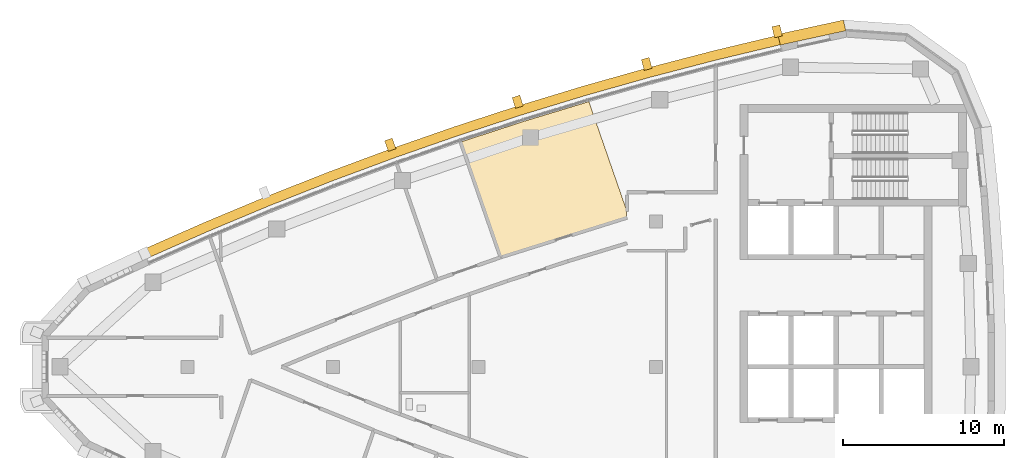
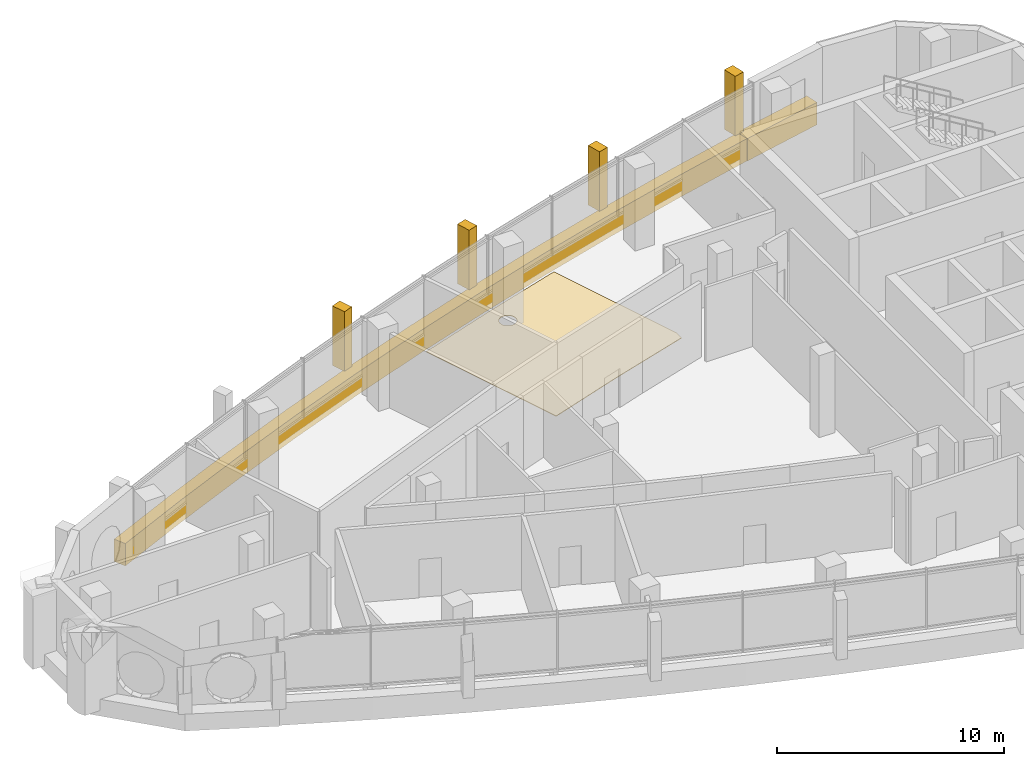
# One storey, part 13 of 15: 7 coverings.
"""IFC4 building model written with IfcOpenShell, lengths in metres."""

from ifc_helpers import new_model, si_unit, direction, frame, frame_2d, origin, place, context, subcontext, project, spatial, polyline, rectangle, outline, extrude, material, layer, layer_set, type_object, element, save


model = new_model("IFC4")

# Units and contexts
model_context = context("Model", 3, precision=1e-05, world=origin(), true_north=direction((0.0, 1.0)))
body_context = subcontext(model_context, "Body", "Model", "MODEL_VIEW")
ifc_project = project(units=[si_unit("LENGTHUNIT", "METRE"), si_unit("AREAUNIT", "SQUARE_METRE"), si_unit("VOLUMEUNIT", "CUBIC_METRE"), si_unit("PLANEANGLEUNIT", "RADIAN"), si_unit("MASSUNIT", "GRAM", prefix="KILO")], contexts=[model_context])

# Site, building, storey
site_placement = place(None, origin())
site = spatial("IfcSite", under=ifc_project, at=site_placement, CompositionType="ELEMENT")
building_placement = place(site_placement, origin())
building = spatial("IfcBuilding", under=site, at=building_placement, Name="Ostrand Prow Hotel Tower", CompositionType="ELEMENT")
storey_placement = place(building_placement, frame((0.0, 0.0, 318.60009765625)))
storey = spatial("IfcBuildingStorey", under=building, at=storey_placement, Name="C3", CompositionType="ELEMENT", Elevation=318.60009765625)

# Coverings
ifc_material_1 = material(Name="Bronze anodised aluminium cladding", Category="aluminium")
ifc_layer_1 = layer(ifc_material_1, 0.60009765625)
ifc_layer_set_1 = layer_set([ifc_layer_1], Name="Bronze anodised aluminium cladding")
covering_type_1 = type_object("IfcCoveringType", Name="Bronze spandrel band 1200x600", PredefinedType="CLADDING", material=ifc_layer_set_1)
covering_1_placement = place(storey_placement, frame((0.0, 0.0, -0.300048828125)))
element("IfcCovering", 1, at=covering_1_placement, inside=storey, type_object=covering_type_1, Name="Spandrel band N1", PredefinedType="CLADDING", context=body_context, shape_type="SweptSolid", body=[
    extrude(outline(polyline([(52.55615234375, 20.52880859375), (48.51220703125, 19.56103515625), (44.48828125, 18.51220703125), (40.486328125, 17.382568359375), (36.508056640625, 16.172607421875), (32.5546875, 14.88330078125), (28.62841796875, 13.514404296875), (24.72998046875, 12.067138671875), (20.86181640625, 10.541748046875), (17.02490234375, 8.938720703125), (13.220947265625, 7.25927734375), (13.468994140625, 6.712890625), (17.26171875, 8.3876953125), (21.08740234375, 9.98583984375), (24.944580078125, 11.5068359375), (28.83154296875, 12.949951171875), (32.74658203125, 14.314697265625), (36.6884765625, 15.6005859375), (40.6552734375, 16.806884765625), (44.6455078125, 17.93310546875), (48.65771484375, 18.97900390625), (52.68994140625, 19.94384765625), (52.55615234375, 20.52880859375)])), origin(), (0.0, 0.0, 1.0), 1.199951171875),
])
covering_2_placement = place(storey_placement, frame((0.0, 0.0, -0.300048828125)))
element("IfcCovering", 2, at=covering_2_placement, inside=storey, type_object=covering_type_1, Name="Spandrel band back 5", PredefinedType="CLADDING", context=body_context, shape_type="SweptSolid", body=[
    extrude(outline(polyline([(56.606201171875, 21.476318359375), (52.542236328125, 20.58984375), (52.69384765625, 19.927001953125), (56.744384765625, 20.810546875), (56.606201171875, 21.476318359375)])), origin(), (0.0, 0.0, 1.0), 1.199951171875),
])
ifc_material_2 = material(Name="Limestone cladding", Category="masonry")
ifc_layer_2 = layer(ifc_material_2, 0.5)
ifc_layer_set_2 = layer_set([ifc_layer_2], Name="Limestone cladding")
covering_type_2 = type_object("IfcCoveringType", Name="Precast stone fin 500x600", PredefinedType="CLADDING", material=ifc_layer_set_2)
covering_3_placement = place(storey_placement, frame((52.578369140625, 20.431396484375, 0.89990234375), z_axis=(0.0, 0.0, 1.0), x_axis=(-0.222872153431, 0.974847682064, 0.0)))
element("IfcCovering", 3, at=covering_3_placement, inside=storey, type_object=covering_type_2, Name="Stone fin N 1", PredefinedType="CLADDING", context=body_context, shape_type="SweptSolid", body=[
    extrude(rectangle(XDim=0.699951171875, YDim=0.5, at=frame_2d((0.35009765625, 0.0))), origin(), (0.0, 0.0, 1.0), 3.199951171875),
])
for number, where, z_axis, x_axis, name in (
    (4, (44.514404296875, 18.41552734375, 0.89990234375), (0.0, 0.0, 1.0), (-0.261848568536, 0.965108971648, 0.0), "Stone fin N 3"),
    (5, (36.5380859375, 16.077392578125, 0.89990234375), (0.0, 0.0, 1.0), (-0.30059725976, 0.953751166408, 0.0), "Stone fin N 5"),
):
    element("IfcCovering", number, at=place(storey_placement, frame(where, z_axis=z_axis, x_axis=x_axis)), inside=storey, type_object=covering_type_2, Name=name, PredefinedType="CLADDING", context=body_context, shape_type="SweptSolid", body=[
        extrude(rectangle(XDim=0.7001953125, YDim=0.5, at=frame_2d((0.35009765625, 0.0))), origin(), (0.0, 0.0, 1.0), 3.199951171875),
    ])
covering_4_placement = place(storey_placement, frame((28.662109375, 13.42041015625, 0.89990234375), z_axis=(0.0, 0.0, 1.0), x_axis=(-0.338633021138, 0.940918528352, 0.0)))
element("IfcCovering", 6, at=covering_4_placement, inside=storey, type_object=covering_type_2, Name="Stone fin N 7", PredefinedType="CLADDING", context=body_context, shape_type="SweptSolid", body=[
    extrude(rectangle(XDim=0.699951171875, YDim=0.5, at=frame_2d((0.35009765625, 0.0))), origin(), (0.0, 0.0, 1.0), 3.199951171875),
])
ifc_material_3 = material(Name="Polished limestone", Category="masonry")
ifc_layer_3 = layer(ifc_material_3, 0.030029296875)
ifc_layer_set_3 = layer_set([ifc_layer_3], Name="Polished limestone")
covering_type_3 = type_object("IfcCoveringType", Name="Stone floor finish 30 mm", PredefinedType="FLOORING", material=ifc_layer_set_3)
covering_5_placement = place(storey_placement, origin())
element("IfcCovering", 7, at=covering_5_placement, inside=storey, type_object=covering_type_3, Name="Floor finish Private Dining Room", PredefinedType="FLOORING", context=body_context, shape_type="SweptSolid", body=[
    extrude(outline(polyline([(43.175048828125, 9.693115234375), (40.8408203125, 16.42236328125), (36.814697265625, 15.199951171875), (32.921630859375, 13.93017578125), (35.39794921875, 6.791015625), (39.08544921875, 7.993896484375), (43.175048828125, 9.23095703125), (43.175048828125, 9.693115234375)]), holes=[polyline([(37.57421875, 14.007080078125), (37.553955078125, 13.973388671875), (37.530517578125, 13.94189453125), (37.504150390625, 13.912841796875), (37.47509765625, 13.886474609375), (37.443603515625, 13.863037109375), (37.409912109375, 13.843017578125), (37.37451171875, 13.826171875), (37.33740234375, 13.81298828125), (37.29931640625, 13.803466796875), (37.260498046875, 13.797607421875), (37.22119140625, 13.795654296875), (37.18212890625, 13.797607421875), (37.143310546875, 13.803466796875), (37.105224609375, 13.81298828125), (37.068115234375, 13.826171875), (37.03271484375, 13.843017578125), (36.9990234375, 13.863037109375), (36.967529296875, 13.886474609375), (36.9384765625, 13.912841796875), (36.912109375, 13.94189453125), (36.888671875, 13.973388671875), (36.868408203125, 14.007080078125), (36.851806640625, 14.04248046875), (36.83837890625, 14.07958984375), (36.8291015625, 14.11767578125), (36.8232421875, 14.156494140625), (36.8212890625, 14.19580078125), (36.8232421875, 14.23486328125), (36.8291015625, 14.273681640625), (36.83837890625, 14.311767578125), (36.851806640625, 14.348876953125), (36.868408203125, 14.38427734375), (36.888671875, 14.41796875), (36.912109375, 14.449462890625), (36.9384765625, 14.478515625), (36.967529296875, 14.5048828125), (36.9990234375, 14.5283203125), (37.03271484375, 14.548583984375), (37.068115234375, 14.565185546875), (37.105224609375, 14.57861328125), (37.143310546875, 14.587890625), (37.18212890625, 14.59375), (37.22119140625, 14.595703125), (37.260498046875, 14.59375), (37.29931640625, 14.587890625), (37.33740234375, 14.57861328125), (37.37451171875, 14.565185546875), (37.409912109375, 14.548583984375), (37.443603515625, 14.5283203125), (37.47509765625, 14.5048828125), (37.504150390625, 14.478515625), (37.530517578125, 14.449462890625), (37.553955078125, 14.41796875), (37.57421875, 14.38427734375), (37.5908203125, 14.348876953125), (37.60400390625, 14.311767578125), (37.613525390625, 14.273681640625), (37.619384765625, 14.23486328125), (37.621337890625, 14.19580078125), (37.619384765625, 14.156494140625), (37.613525390625, 14.11767578125), (37.60400390625, 14.07958984375), (37.5908203125, 14.04248046875), (37.57421875, 14.007080078125)])]), origin(), (0.0, 0.0, 1.0), 0.02978515625),
])

save(model, "model.ifc")
